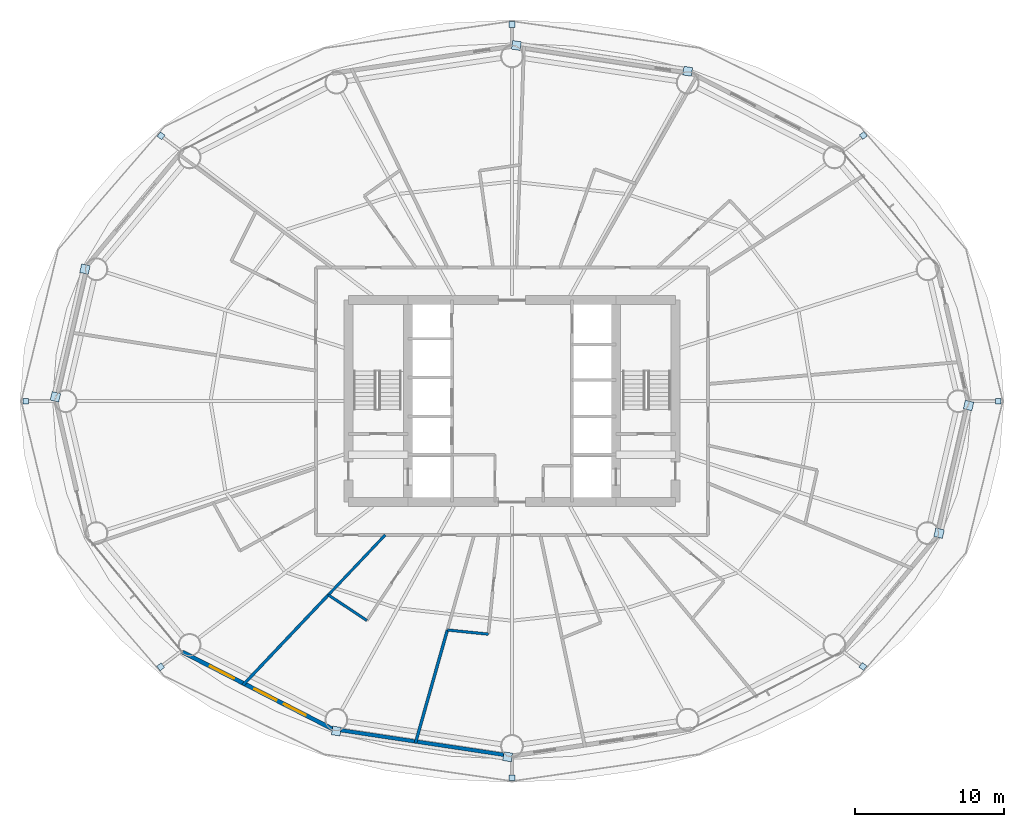
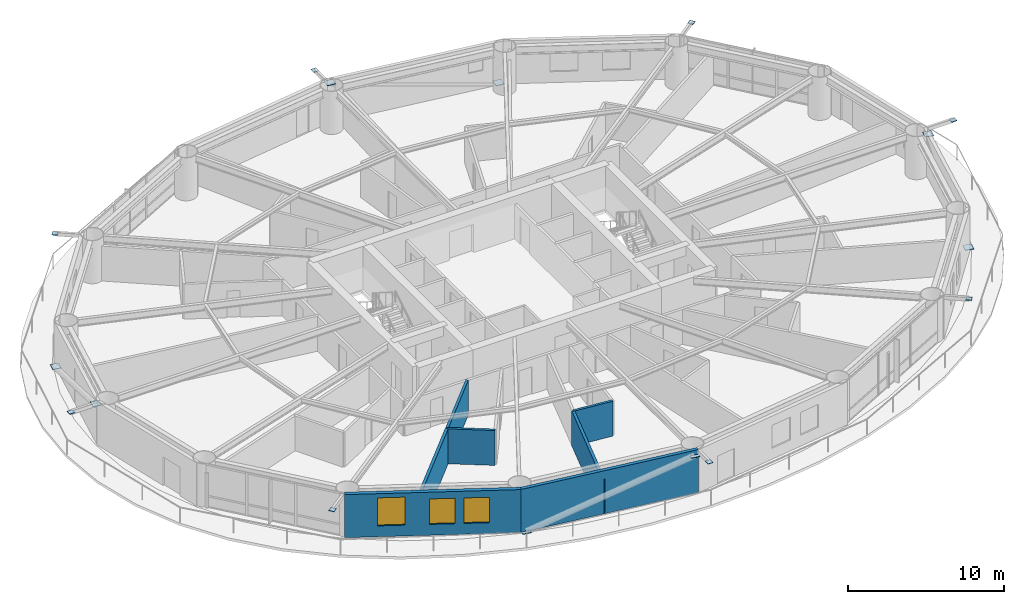
# One storey, part 21 of 28: 16 plates, 7 walls, 3 windows, 3 openings.
"""IFC4 building model written with IfcOpenShell, lengths in metres."""

from ifc_helpers import new_model, si_unit, direction, frame, frame_2d, origin, origin_2d, place, context, subcontext, project, spatial, rectangle, extrude, material, layer, layer_set, type_object, element, fill, save


model = new_model("IFC4")

# Units and contexts
model_context = context("Model", 3, precision=1e-05, world=origin(), true_north=direction((0.0, 1.0)))
body_context = subcontext(model_context, "Body", "Model", "MODEL_VIEW")
ifc_project = project(units=[si_unit("LENGTHUNIT", "METRE"), si_unit("AREAUNIT", "SQUARE_METRE"), si_unit("VOLUMEUNIT", "CUBIC_METRE"), si_unit("PLANEANGLEUNIT", "RADIAN"), si_unit("MASSUNIT", "GRAM", prefix="KILO")], contexts=[model_context])

# Site, building, storey
site_placement = place(None, origin())
site = spatial("IfcSite", under=ifc_project, at=site_placement, CompositionType="ELEMENT")
building_placement = place(site_placement, origin())
building = spatial("IfcBuilding", under=site, at=building_placement, Name="Sarneth Arch Tower", CompositionType="ELEMENT")
storey_placement = place(building_placement, frame((0.0, 0.0, 31.800048828125)))
storey = spatial("IfcBuildingStorey", under=building, at=storey_placement, Name="L06", CompositionType="ELEMENT", Elevation=31.800048828125)

# Plates
ifc_material_1 = material(Name="Steel S355", Category="steel")
ifc_layer_1 = layer(ifc_material_1, 0.035888671875)
ifc_layer_set_1 = layer_set([ifc_layer_1], Name="Steel S355")
plate_type = type_object("IfcPlateType", Name="PLT-GUSSET-30", PredefinedType="SHEET", material=ifc_layer_set_1)
for number, where, z_axis, x_axis, name in (
    (1, (80.734130859375, 42.0, 3.2021484375), (0.0, 0.0, 1.0), (1.0, 0.0, 0.0), "Steel end cap plate GP-1"),
    (2, (71.646240234375, 59.87890625, 3.2021484375), (0.0, 0.0, 1.0), (0.797689196331, 0.603068773902, 0.0), "Steel end cap plate GP-1"),
):
    element("IfcPlate", number, at=place(storey_placement, frame(where, z_axis=z_axis, x_axis=x_axis)), inside=storey, type_object=plate_type, Name=name, PredefinedType="SHEET", context=body_context, shape_type="SweptSolid", body=[
        extrude(rectangle(XDim=0.3798828125, YDim=0.3798828125, at=origin_2d()), origin(), (0.0, 0.0, 1.0), 0.035888671875),
    ])
for number, where, z_axis, x_axis, name in (
    (3, (59.819580078125, 64.19921875, 0.001953125), (0.0, 0.0, 1.0), (-0.98883454203, 0.149017611339, 0.0), "Steel end cap plate GP-1"),
    (4, (48.296630859375, 65.935302734375, 2.98876953125), (0.0, 0.0, 1.0), (-0.98883454203, 0.149017611339, 0.0), "Steel end cap plate GP-1"),
):
    element("IfcPlate", number, at=place(storey_placement, frame(where, z_axis=z_axis, x_axis=x_axis)), inside=storey, type_object=plate_type, Name=name, PredefinedType="SHEET", context=body_context, shape_type="SweptSolid", body=[
        extrude(rectangle(XDim=0.587890625, YDim=0.587890625, at=origin_2d()), origin(), (0.0, 0.0, 1.0), 0.035888671875),
    ])
for number, where, z_axis, x_axis, name in (
    (5, (48.0, 67.3505859375, 3.2021484375), (0.0, 0.0, 1.0), (0.0, 1.0, 0.0), "Steel end cap plate GP-1"),
    (6, (24.38427734375, 59.85595703125, 3.2021484375), (0.0, 0.0, 1.0), (-0.797689196331, 0.603068773902, 0.0), "Steel end cap plate GP-1"),
):
    element("IfcPlate", number, at=place(storey_placement, frame(where, z_axis=z_axis, x_axis=x_axis)), inside=storey, type_object=plate_type, Name=name, PredefinedType="SHEET", context=body_context, shape_type="SweptSolid", body=[
        extrude(rectangle(XDim=0.3798828125, YDim=0.3798828125, at=origin_2d()), origin(), (0.0, 0.0, 1.0), 0.035888671875),
    ])
for number, where, z_axis, x_axis, name in (
    (7, (19.260986328125, 50.884521484375, 0.001953125), (0.0, 0.0, 1.0), (-0.225291159947, -0.974291482694, 0.0), "Steel end cap plate GP-1"),
    (8, (17.274658203125, 42.292236328125, 2.98876953125), (0.0, 0.0, 1.0), (-0.225291159947, -0.974291482694, 0.0), "Steel end cap plate GP-1"),
):
    element("IfcPlate", number, at=place(storey_placement, frame(where, z_axis=z_axis, x_axis=x_axis)), inside=storey, type_object=plate_type, Name=name, PredefinedType="SHEET", context=body_context, shape_type="SweptSolid", body=[
        extrude(rectangle(XDim=0.587890625, YDim=0.587890625, at=origin_2d()), origin(), (0.0, 0.0, 1.0), 0.035888671875),
    ])
for number, where, z_axis, x_axis, name in (
    (9, (15.265869140625, 42.0, 3.2021484375), (0.0, 0.0, 1.0), (-1.0, 0.0, 0.0), "Steel end cap plate GP-1"),
    (10, (24.353759765625, 24.12109375, 3.2021484375), (0.0, 0.0, 1.0), (-0.797689196331, -0.603068773902, 0.0), "Steel end cap plate GP-1"),
):
    element("IfcPlate", number, at=place(storey_placement, frame(where, z_axis=z_axis, x_axis=x_axis)), inside=storey, type_object=plate_type, Name=name, PredefinedType="SHEET", context=body_context, shape_type="SweptSolid", body=[
        extrude(rectangle(XDim=0.3798828125, YDim=0.3798828125, at=origin_2d()), origin(), (0.0, 0.0, 1.0), 0.035888671875),
    ])
for number, where, z_axis, x_axis, name in (
    (11, (36.180419921875, 19.80078125, 0.001953125), (0.0, 0.0, 1.0), (0.98883454203, -0.149017611339, 0.0), "Steel end cap plate GP-1"),
    (12, (47.703369140625, 18.064697265625, 2.98876953125), (0.0, 0.0, 1.0), (0.98883454203, -0.149017611339, 0.0), "Steel end cap plate GP-1"),
):
    element("IfcPlate", number, at=place(storey_placement, frame(where, z_axis=z_axis, x_axis=x_axis)), inside=storey, type_object=plate_type, Name=name, PredefinedType="SHEET", context=body_context, shape_type="SweptSolid", body=[
        extrude(rectangle(XDim=0.587890625, YDim=0.587890625, at=origin_2d()), origin(), (0.0, 0.0, 1.0), 0.035888671875),
    ])
for number, where, z_axis, x_axis, name in (
    (13, (48.0, 16.6494140625, 3.2021484375), (0.0, 0.0, 1.0), (0.0, -1.0, 0.0), "Steel end cap plate GP-1"),
    (14, (71.61572265625, 24.14404296875, 3.2021484375), (0.0, 0.0, 1.0), (0.797689196331, -0.603068773902, 0.0), "Steel end cap plate GP-1"),
):
    element("IfcPlate", number, at=place(storey_placement, frame(where, z_axis=z_axis, x_axis=x_axis)), inside=storey, type_object=plate_type, Name=name, PredefinedType="SHEET", context=body_context, shape_type="SweptSolid", body=[
        extrude(rectangle(XDim=0.3798828125, YDim=0.3798828125, at=origin_2d()), origin(), (0.0, 0.0, 1.0), 0.035888671875),
    ])
for number, where, z_axis, x_axis, name in (
    (15, (76.739013671875, 33.115478515625, 0.001953125), (0.0, 0.0, 1.0), (0.225291159947, 0.974291482694, 0.0), "Steel end cap plate GP-1"),
    (16, (78.725341796875, 41.707763671875, 2.98876953125), (0.0, 0.0, 1.0), (0.225291159947, 0.974291482694, 0.0), "Steel end cap plate GP-1"),
):
    element("IfcPlate", number, at=place(storey_placement, frame(where, z_axis=z_axis, x_axis=x_axis)), inside=storey, type_object=plate_type, Name=name, PredefinedType="SHEET", context=body_context, shape_type="SweptSolid", body=[
        extrude(rectangle(XDim=0.587890625, YDim=0.587890625, at=origin_2d()), origin(), (0.0, 0.0, 1.0), 0.035888671875),
    ])

# Wall
ifc_material_2 = material(Name="Extruded terracotta rainscreen on Concrete C40/50 backing", Category="masonry")
ifc_layer_2 = layer(ifc_material_2, 0.25)
ifc_layer_set_2 = layer_set([ifc_layer_2], Name="Extruded terracotta rainscreen on Concrete C40/50 backing")
wall_type_1 = type_object("IfcWallType", Name="WALL-EXT-SPAND-250", PredefinedType="SOLIDWALL", material=ifc_layer_set_2)
wall_1_placement = place(storey_placement, frame((35.922119140625, 19.937744140625, 0.0), z_axis=(0.0, 0.0, 1.0), x_axis=(0.988864835849, -0.148816452121, 0.0)))
element("IfcWall", 17, at=wall_1_placement, inside=storey, type_object=wall_type_1, Name="L06 Terracotta perimeter wall 12", PredefinedType="SOLIDWALL", context=body_context, shape_type="SweptSolid", body=[
    extrude(rectangle(XDim=12.2138671875, YDim=0.25, at=frame_2d((6.10693359375, 0.0))), origin(), (0.0, 0.0, 1.0), 3.3798828125),
])

# Wall, openings, windows
ifc_material_3 = material(Name="Extruded terracotta rainscreen on Concrete C40/50 backing", Category="masonry")
ifc_layer_3 = layer(ifc_material_3, 0.280029296875)
ifc_layer_set_3 = layer_set([ifc_layer_3], Name="Extruded terracotta rainscreen on Concrete C40/50 backing")
wall_type_2 = type_object("IfcWallType", Name="WALL-EXT-TERRA-280", PredefinedType="SOLIDWALL", material=ifc_layer_set_3)
wall_2_placement = place(storey_placement, frame((25.825927734375, 25.1142578125, 0.0), z_axis=(0.0, 0.0, 1.0), x_axis=(0.889853976658, -0.456245438581, 0.0)))
wall_2 = element("IfcWall", 18, at=wall_2_placement, inside=storey, type_object=wall_type_2, Name="L06 Terracotta perimeter wall 11", PredefinedType="SOLIDWALL", context=body_context, shape_type="SweptSolid", body=[
    extrude(rectangle(XDim=11.345947265625, YDim=0.280029296875, at=frame_2d((5.6728515625, 0.0))), origin(), (0.0, 0.0, 1.0), 3.3798828125),
])
opening_1_placement = place(wall_2_placement, frame((2.0947265625, 0.0, 0.85009765625)))
opening_1 = element("IfcOpeningElement", 19, at=opening_1_placement, cuts=wall_2, Name="Opening W-04", PredefinedType="OPENING", context=body_context, shape_type="SweptSolid", body=[
    extrude(rectangle(XDim=1.800048828125, YDim=2.199951171875, at=frame_2d((0.89990234375, 1.10009765625))), frame((0.0, 0.14990234375, 0.0), z_axis=(0.0, -1.0, 0.0), x_axis=(1.0, 0.0, 0.0)), (0.0, 0.0, 1.0), 0.300048828125),
])
opening_2_placement = place(wall_2_placement, frame((5.452880859375, 0.0, 0.85009765625)))
opening_2 = element("IfcOpeningElement", 20, at=opening_2_placement, cuts=wall_2, Name="Opening W-05", PredefinedType="OPENING", context=body_context, shape_type="SweptSolid", body=[
    extrude(rectangle(XDim=1.64990234375, YDim=2.0, at=frame_2d((0.824951171875, 1.0))), frame((0.0, 0.14990234375, 0.0), z_axis=(0.0, -1.0, 0.0), x_axis=(1.0, 0.0, 0.0)), (0.0, 0.0, 1.0), 0.300048828125),
])
opening_3_placement = place(wall_2_placement, frame((7.671875, 0.0, 0.85009765625)))
opening_3 = element("IfcOpeningElement", 21, at=opening_3_placement, cuts=wall_2, Name="Opening W-05", PredefinedType="OPENING", context=body_context, shape_type="SweptSolid", body=[
    extrude(rectangle(XDim=1.64990234375, YDim=2.0, at=frame_2d((0.824951171875, 1.0))), frame((0.0, 0.14990234375, 0.0), z_axis=(0.0, -1.0, 0.0), x_axis=(1.0, 0.0, 0.0)), (0.0, 0.0, 1.0), 0.300048828125),
])
ifc_material_4 = material(Name="Thermally broken Aluminium 6063-T6 and low-e laminated IGU", Category="aluminium")
window_type_1 = type_object("IfcWindowType", Name="WIN-TWR-1650x2000", PartitioningType="DOUBLE_PANEL_VERTICAL", PredefinedType="WINDOW", material=ifc_material_4)
window_1_placement = place(opening_2_placement, origin())
window_1 = element("IfcWindow", 22, at=window_1_placement, inside=storey, type_object=window_type_1, Name="L06 Exterior window 11B", OverallHeight=2.0, OverallWidth=1.64990234375, PartitioningType="SINGLE_PANEL", PredefinedType="WINDOW", context=body_context, shape_type="SweptSolid", body=[
    extrude(rectangle(XDim=1.64990234375, YDim=2.0, at=frame_2d((0.824951171875, 1.0))), frame((0.0, 0.030029296875, 0.0), z_axis=(0.0, -1.0, 0.0), x_axis=(1.0, 0.0, 0.0)), (0.0, 0.0, 1.0), 0.06005859375),
])
fill(opening_2, window_1)
window_2_placement = place(opening_3_placement, origin())
window_2 = element("IfcWindow", 23, at=window_2_placement, inside=storey, type_object=window_type_1, Name="L06 Exterior window 11C", OverallHeight=2.0, OverallWidth=1.64990234375, PartitioningType="SINGLE_PANEL", PredefinedType="WINDOW", context=body_context, shape_type="SweptSolid", body=[
    extrude(rectangle(XDim=1.64990234375, YDim=2.0, at=frame_2d((0.824951171875, 1.0))), frame((0.0, 0.030029296875, 0.0), z_axis=(0.0, -1.0, 0.0), x_axis=(1.0, 0.0, 0.0)), (0.0, 0.0, 1.0), 0.06005859375),
])
fill(opening_3, window_2)
ifc_material_5 = material(Name="Thermally broken Aluminium 6063-T6 and low-e laminated IGU", Category="aluminium")
window_type_2 = type_object("IfcWindowType", Name="WIN-TWR-1800x2200", PartitioningType="DOUBLE_PANEL_VERTICAL", PredefinedType="WINDOW", material=ifc_material_5)
window_3_placement = place(opening_1_placement, origin())
window_3 = element("IfcWindow", 24, at=window_3_placement, inside=storey, type_object=window_type_2, Name="L06 Exterior window 11A", OverallHeight=2.199951171875, OverallWidth=1.800048828125, PartitioningType="SINGLE_PANEL", PredefinedType="WINDOW", context=body_context, shape_type="SweptSolid", body=[
    extrude(rectangle(XDim=1.800048828125, YDim=2.199951171875, at=frame_2d((0.89990234375, 1.10009765625))), frame((0.0, 0.030029296875, 0.0), z_axis=(0.0, -1.0, 0.0), x_axis=(1.0, 0.0, 0.0)), (0.0, 0.0, 1.0), 0.06005859375),
])
fill(opening_1, window_3)

# Walls
ifc_material_6 = material(Name="Moisture-resistant plumbing chase wall", Category="gypsum")
ifc_layer_4 = layer(ifc_material_6, 0.179931640625)
ifc_layer_set_4 = layer_set([ifc_layer_4], Name="Moisture-resistant plumbing chase wall")
wall_type_3 = type_object("IfcWallType", Name="WALL-PLUMB-180", PredefinedType="PLUMBINGWALL", material=ifc_layer_set_4)
wall_3_placement = place(storey_placement, frame((35.640380859375, 28.958251953125, 0.0), z_axis=(0.0, 0.0, 1.0), x_axis=(0.687867465085, 0.725836311077, 0.0)))
element("IfcWall", 25, at=wall_3_placement, inside=storey, type_object=wall_type_3, Name="L06 Interior partition W-L06-TP-056", PredefinedType="PLUMBINGWALL", context=body_context, shape_type="SweptSolid", body=[
    extrude(rectangle(XDim=5.568359375, YDim=0.179931640625, at=frame_2d((2.7841796875, 0.0))), origin(), (0.0, 0.0, 1.0), 2.739990234375),
])
wall_4_placement = place(storey_placement, frame((38.234619140625, 27.24169921875, 0.0), z_axis=(0.0, 0.0, 1.0), x_axis=(-0.833965136837, 0.551817135055, 0.0)))
element("IfcWall", 26, at=wall_4_placement, inside=storey, type_object=wall_type_3, Name="L06 Interior partition W-L06-TP-058", PredefinedType="PLUMBINGWALL", context=body_context, shape_type="SweptSolid", body=[
    extrude(rectangle(XDim=3.11083984375, YDim=0.179931640625, at=frame_2d((1.555419921875, 0.0))), origin(), (0.0, 0.0, 1.0), 2.739990234375),
])
wall_5_placement = place(storey_placement, frame((46.407470703125, 26.320556640625, 0.0), z_axis=(0.0, 0.0, 1.0), x_axis=(-0.994878004338, 0.101082918857, 0.0)))
element("IfcWall", 27, at=wall_5_placement, inside=storey, type_object=wall_type_3, Name="L06 Interior partition W-L06-TP-062", PredefinedType="PLUMBINGWALL", context=body_context, shape_type="SweptSolid", body=[
    extrude(rectangle(XDim=2.770263671875, YDim=0.179931640625, at=frame_2d((1.38525390625, 0.0))), origin(), (0.0, 0.0, 1.0), 2.739990234375),
])
ifc_material_7 = material(Name="Double steel-stud acoustic drywall", Category="steel")
ifc_layer_5 = layer(ifc_material_7, 0.199951171875)
ifc_layer_set_5 = layer_set([ifc_layer_5], Name="Double steel-stud acoustic drywall")
wall_type_4 = type_object("IfcWallType", Name="WALL-UNIT-200", PredefinedType="PARTITIONING", material=ifc_layer_set_5)
wall_6_placement = place(storey_placement, frame((29.89697265625, 22.897705078125, 0.0), z_axis=(0.0, 0.0, 1.0), x_axis=(0.687860615602, 0.725842802198, 0.0)))
element("IfcWall", 28, at=wall_6_placement, inside=storey, type_object=wall_type_4, Name="L06 Interior partition W-L06-TP-055", PredefinedType="PARTITIONING", context=body_context, shape_type="SweptSolid", body=[
    extrude(rectangle(XDim=8.349609375, YDim=0.199951171875, at=frame_2d((4.1748046875, 0.0))), origin(), (0.0, 0.0, 1.0), 2.739990234375),
])
wall_7_placement = place(storey_placement, frame((41.498779296875, 18.97802734375, 0.0), z_axis=(0.0, 0.0, 1.0), x_axis=(0.271768364569, 0.962362694632, 0.0)))
element("IfcWall", 29, at=wall_7_placement, inside=storey, type_object=wall_type_4, Name="L06 Interior partition W-L06-TP-059", PredefinedType="PARTITIONING", context=body_context, shape_type="SweptSolid", body=[
    extrude(rectangle(XDim=7.920654296875, YDim=0.199951171875, at=frame_2d((3.96044921875, 0.0))), origin(), (0.0, 0.0, 1.0), 2.739990234375),
])

save(model, "model.ifc")
